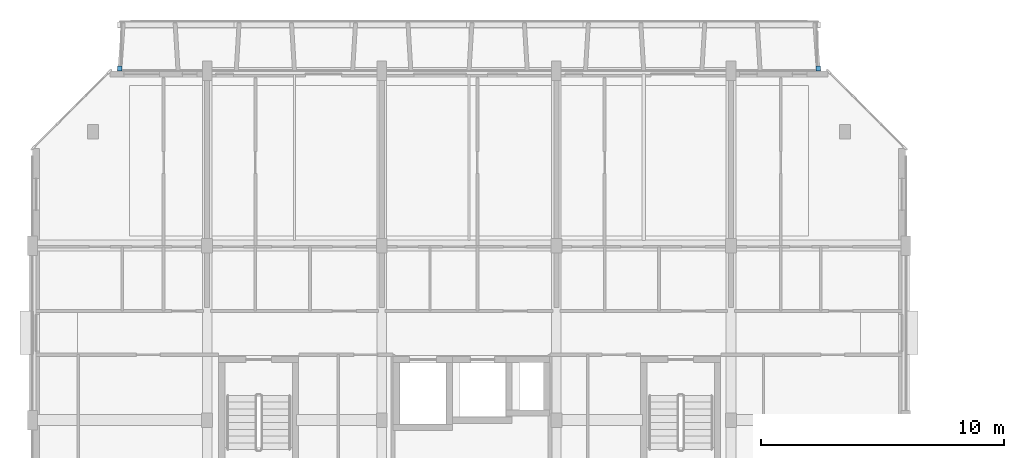
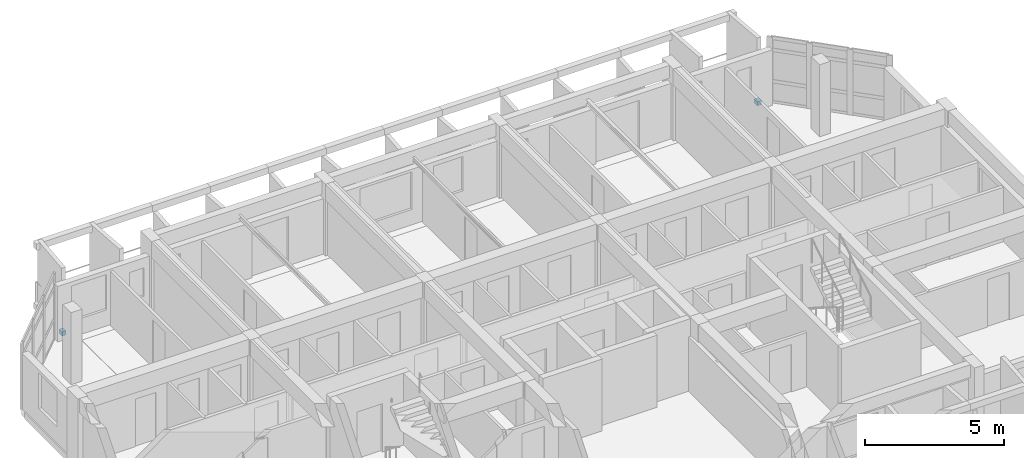
# One storey, part 33 of 46: 2 discrete accessories.
"""IFC4 building model written with IfcOpenShell, lengths in metres."""

from ifc_helpers import new_model, si_unit, direction, frame, origin, origin_2d, place, context, subcontext, project, spatial, rectangle, extrude, material, type_object, element, save


model = new_model("IFC4")

# Units and contexts
model_context = context("Model", 3, precision=1e-05, world=origin(), true_north=direction((0.0, 1.0)))
body_context = subcontext(model_context, "Body", "Model", "MODEL_VIEW")
ifc_project = project(units=[si_unit("LENGTHUNIT", "METRE"), si_unit("AREAUNIT", "SQUARE_METRE"), si_unit("VOLUMEUNIT", "CUBIC_METRE"), si_unit("PLANEANGLEUNIT", "RADIAN"), si_unit("MASSUNIT", "GRAM", prefix="KILO")], contexts=[model_context])

# Site, building, storey
site_placement = place(None, origin())
site = spatial("IfcSite", under=ifc_project, at=site_placement, CompositionType="ELEMENT")
building_placement = place(site_placement, origin())
building = spatial("IfcBuilding", under=site, at=building_placement, Name="Ochrevale Crest", CompositionType="ELEMENT")
storey_placement = place(building_placement, frame((0.0, 0.0, 24.449951171875)))
storey = spatial("IfcBuildingStorey", under=building, at=storey_placement, Name="L07", CompositionType="ELEMENT", Elevation=24.449951171875)

# Discrete accessories
ifc_material = material(Name="Galvanised steel", Category="steel")
discrete_accessory_type = type_object("IfcDiscreteAccessoryType", Name="ACC-BRK-HC", PredefinedType="BRACKET", material=ifc_material)
for number, where, z_axis, x_axis, name in (
    (1, (3.60009765625, 93.699951171875, 0.0), (0.0, 0.0, 1.0), (1.0, 0.0, 0.0), "Block B L07 precast loggia corbel bracket"),
    (2, (32.39990234375, 93.699951171875, 0.0), (0.0, 0.0, 1.0), (1.0, 0.0, 0.0), "Block B L07 precast loggia corbel bracket"),
):
    element("IfcDiscreteAccessory", number, at=place(storey_placement, frame(where, z_axis=z_axis, x_axis=x_axis)), inside=storey, type_object=discrete_accessory_type, Name=name, PredefinedType="BRACKET", context=body_context, shape_type="SweptSolid", body=[
        extrude(rectangle(XDim=0.179931640625, YDim=0.219970703125, at=origin_2d()), origin(), (0.0, 0.0, 1.0), 0.179931640625),
    ])

save(model, "model.ifc")
